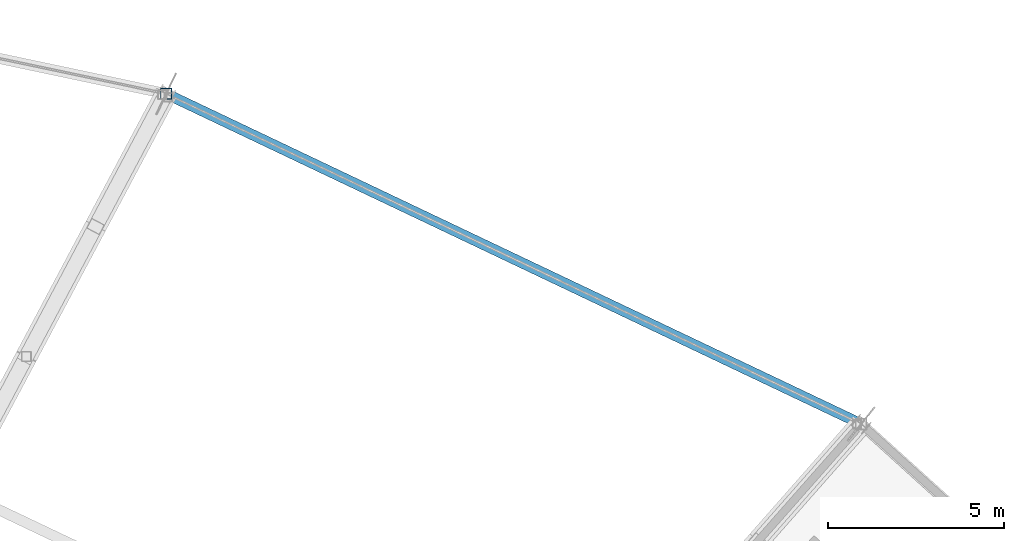
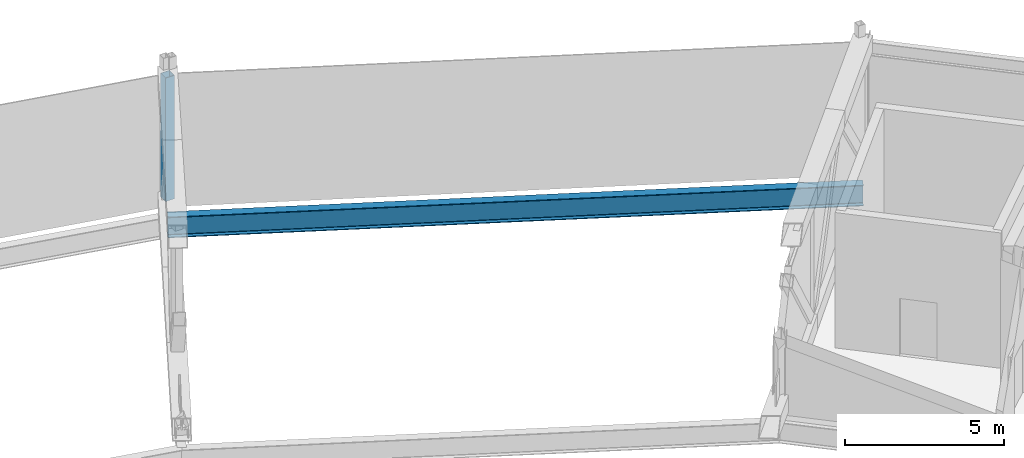
# One storey, part 90 of 162: 1 beam, 1 member.
"""IFC4 building model written with IfcOpenShell, lengths in metres."""

from ifc_helpers import new_model, si_unit, direction, frame, origin, origin_2d, place, context, subcontext, project, spatial, hollow_rectangle, i_section, extrude, material, material_profile, profile_set, type_object, element, save


model = new_model("IFC4")

# Units and contexts
model_context = context("Model", 3, precision=1e-05, world=origin(), true_north=direction((0.0, 1.0)))
body_context = subcontext(model_context, "Body", "Model", "MODEL_VIEW")
ifc_project = project(units=[si_unit("LENGTHUNIT", "METRE"), si_unit("AREAUNIT", "SQUARE_METRE"), si_unit("VOLUMEUNIT", "CUBIC_METRE"), si_unit("PLANEANGLEUNIT", "RADIAN"), si_unit("MASSUNIT", "GRAM", prefix="KILO")], contexts=[model_context])

# Site, building, storey
site_placement = place(None, origin())
site = spatial("IfcSite", under=ifc_project, at=site_placement, CompositionType="ELEMENT")
building_placement = place(site_placement, origin())
building = spatial("IfcBuilding", under=site, at=building_placement, Name="Kazemori Nagisa Stadium", CompositionType="ELEMENT")
storey_placement = place(building_placement, frame((0.0, 0.0, 36.719970703125)))
storey = spatial("IfcBuildingStorey", under=building, at=storey_placement, Name="RF", CompositionType="ELEMENT", Elevation=36.719970703125)

# Beam
ifc_material_1 = material(Name="Steel SN490B", Category="steel")
ifc_material_profile_1 = material_profile(ifc_material_1, i_section(OverallWidth=0.300048828125, OverallDepth=0.800048828125, WebThickness=0.013916015625, FlangeThickness=0.02587890625, FilletRadius=0.01806640625, at=origin_2d()), Name="H-800x300x14x26")
ifc_profile_set_1 = profile_set([ifc_material_profile_1], Name="Steel SN490B")
beam_type = type_object("IfcBeamType", Name="Beam_BG-H800", PredefinedType="BEAM", material=ifc_profile_set_1)
beam_placement = place(storey_placement, frame((185.597900390625, 173.05908203125, -0.679931640625), z_axis=(-0.903215644095, 0.429187022475, 0.0), x_axis=(-0.429187022475, -0.903215644095, 0.0)))
element("IfcBeam", 1, at=beam_placement, inside=storey, type_object=beam_type, Name="Roof compression ring beam BG-H800 R3-05", PredefinedType="BEAM", context=body_context, shape_type="SweptSolid", body=[
    extrude(i_section(OverallWidth=0.300048828125, OverallDepth=0.800048828125, WebThickness=0.013916015625, FlangeThickness=0.02587890625, FilletRadius=0.01806640625, at=origin_2d()), origin(), (0.0, 0.0, 1.0), 21.9140625),
])

# Member
ifc_material_2 = material(Name="Steel STKR490", Category="steel")
ifc_material_profile_2 = material_profile(ifc_material_2, hollow_rectangle(XDim=0.320068359375, YDim=0.320068359375, WallThickness=0.011962890625, at=origin_2d()), Name="SHS-320x320x12")
ifc_profile_set_2 = profile_set([ifc_material_profile_2], Name="Steel STKR490")
member_type = type_object("IfcMemberType", Name="Member_TS-SHS320", PredefinedType="STRUT", material=ifc_profile_set_2)
member_placement = place(storey_placement, frame((165.8046875, 182.46435546875, 0.360107421875), z_axis=(0.0, 0.0, 1.0), x_axis=(1.0, 0.0, 0.0)))
element("IfcMember", 2, at=member_placement, inside=storey, type_object=member_type, Name="Roof space truss strut RT-06-1", PredefinedType="STRUT", context=body_context, shape_type="SweptSolid", body=[
    extrude(hollow_rectangle(XDim=0.320068359375, YDim=0.320068359375, WallThickness=0.011962890625, at=origin_2d()), origin(), (0.0, 0.0, 1.0), 4.739990234375),
])

save(model, "model.ifc")
